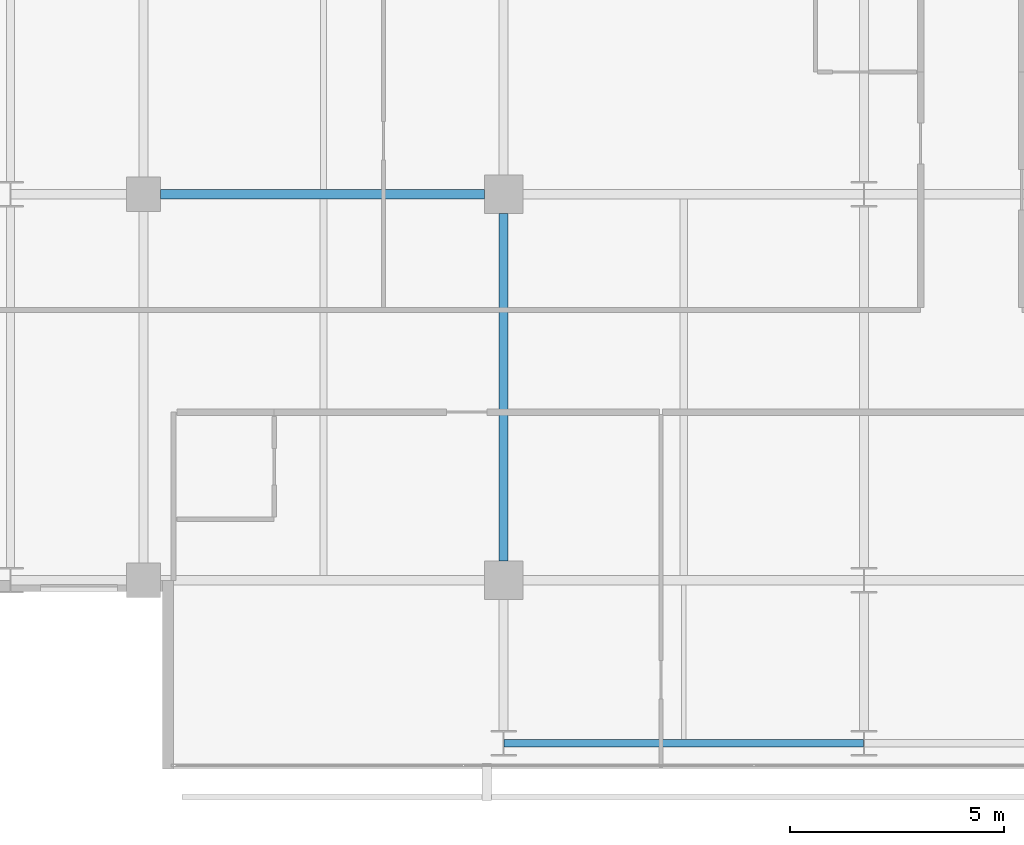
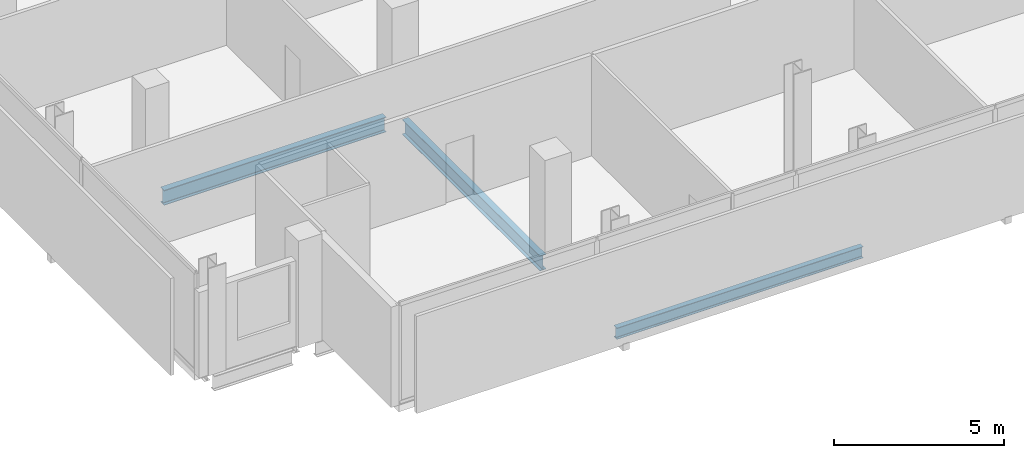
# One storey, part 5 of 32: 3 beams.
"""IFC4 building model written with IfcOpenShell, lengths in metres."""

import ifcopenshell
import ifcopenshell.guid

model = None  # the IFC model being written
_history = None  # IfcOwnerHistory: only IFC2X3 demands one
_inside = {}  # id of a spatial element -> (the spatial element, [elements in it])
_under = {}  # id of a project, library or spatial element -> (it, [spatial elements below it])
_declared = {}  # id of a project -> (the project, [libraries it declares])
_typed = {}  # id of a type object -> (the type object, [elements of that type])
_made_of = {}  # id of a material, layer set ... -> (it, [elements and type objects made of it])


def new_model(schema):
    """Start an empty IFC model of exactly this schema.

    Asked for "IFC4X3", IfcOpenShell would pick the latest addendum, in which some entities
    have other attributes; the version numbers below select the first issue.
    IFC2X3 requires an IfcOwnerHistory on every rooted entity: one is made here for all.
    """
    global model, _history
    if schema == "IFC4X3":
        model = ifcopenshell.file(schema_version=(4, 3, 0, 0))
    else:
        model = ifcopenshell.file(schema=schema)
    _inside.clear()
    _under.clear()
    _declared.clear()
    _typed.clear()
    _made_of.clear()
    _history = None
    if model.schema == "IFC2X3":
        org = make("IfcOrganization", Name="unknown")
        user = make(
            "IfcPersonAndOrganization",
            ThePerson=make("IfcPerson", FamilyName="unknown"),
            TheOrganization=org,
        )
        app = make(
            "IfcApplication",
            ApplicationDeveloper=org,
            Version="unknown",
            ApplicationFullName="unknown",
            ApplicationIdentifier="unknown",
        )
        _history = make(
            "IfcOwnerHistory",
            OwningUser=user,
            OwningApplication=app,
            ChangeAction="ADDED",
            CreationDate=0,
        )
    return model


def make(cls, **values):
    """One entity of the class cls with the attributes given. An attribute that is None is left unset."""
    return model.create_entity(
        cls, **{name: value for name, value in values.items() if value is not None}
    )


def rooted(cls, **values):
    """An entity with a GlobalId (a new one), such as an element, a storey or a relation."""
    return make(cls, GlobalId=ifcopenshell.guid.new(), OwnerHistory=_history, **values)


def si_unit(unit_type, name, prefix=None):
    """IfcSIUnit, for example si_unit("LENGTHUNIT", "METRE", prefix="MILLI")."""
    return make("IfcSIUnit", UnitType=unit_type, Prefix=prefix, Name=name)


def assignment(units):
    """IfcUnitAssignment: the units of a project."""
    return None if units is None else make("IfcUnitAssignment", Units=units)


def point(xyz):
    """IfcCartesianPoint."""
    return None if xyz is None else make("IfcCartesianPoint", Coordinates=xyz)


def direction(xyz):
    """IfcDirection."""
    return None if xyz is None else make("IfcDirection", DirectionRatios=xyz)


def frame(location, z_axis=None, x_axis=None):
    """IfcAxis2Placement3D, a coordinate frame: its origin and axes. An axis left out is left unset."""
    return make(
        "IfcAxis2Placement3D",
        Location=point(location),
        Axis=direction(z_axis),
        RefDirection=direction(x_axis),
    )


def frame_2d(location, x_axis=None):
    """IfcAxis2Placement2D, a coordinate frame in the plane: its origin and x axis."""
    return make(
        "IfcAxis2Placement2D", Location=point(location), RefDirection=direction(x_axis)
    )


def origin():
    """The frame at (0, 0, 0) with its axes left unset."""
    return frame((0.0, 0.0, 0.0))


def origin_2d():
    """The frame at (0, 0) in the plane with its x axis left unset."""
    return frame_2d((0.0, 0.0))


def place(relative_to, where):
    """IfcLocalPlacement: puts the frame where relative to a parent placement (None: the world)."""
    return make(
        "IfcLocalPlacement", PlacementRelTo=relative_to, RelativePlacement=where
    )


def context(
    kind, dimensions, precision=None, world=None, true_north=None, identifier=None
):
    """IfcGeometricRepresentationContext, for example the 3D "Model" context."""
    return make(
        "IfcGeometricRepresentationContext",
        ContextIdentifier=identifier,
        ContextType=kind,
        CoordinateSpaceDimension=dimensions,
        Precision=precision,
        WorldCoordinateSystem=world,
        TrueNorth=true_north,
    )


def subcontext(parent, identifier, kind, view, scale=None):
    """IfcGeometricRepresentationSubContext, for example "Body" below "Model"."""
    return make(
        "IfcGeometricRepresentationSubContext",
        ContextIdentifier=identifier,
        ContextType=kind,
        ParentContext=parent,
        TargetScale=scale,
        TargetView=view,
    )


def project(units=None, contexts=None):
    """IfcProject with its units and contexts."""
    return rooted(
        "IfcProject",
        Name="project",
        RepresentationContexts=contexts,
        UnitsInContext=assignment(units),
    )


def spatial(cls, under=None, at=None, **own):
    """A site, building, storey or space (cls), placed at a placement, below another one or the project."""
    s = rooted(cls, ObjectPlacement=at, **own)
    if under is not None:
        _under.setdefault(under.id(), (under, []))[1].append(s)
    return s


def profile(cls, at=None, kind="AREA", **sizes):
    """A parametric profile (cls). Its sizes go by their IFC names, for example OverallWidth=200.0."""
    return make(cls, ProfileType=kind, Position=at, **sizes)


def i_section(**sizes):
    """IfcIShapeProfileDef."""
    return profile("IfcIShapeProfileDef", **sizes)


def extrude(swept, where, along, depth):
    """IfcExtrudedAreaSolid: the profile swept, set in the frame where, extruded along a direction by depth."""
    return make(
        "IfcExtrudedAreaSolid",
        SweptArea=swept,
        Position=where,
        ExtrudedDirection=direction(along),
        Depth=depth,
    )


def shape(context_of_items, identifier, shape_type, items):
    """IfcShapeRepresentation: the items that make up one representation, for example the "Body"."""
    return make(
        "IfcShapeRepresentation",
        ContextOfItems=context_of_items,
        RepresentationIdentifier=identifier,
        RepresentationType=shape_type,
        Items=items,
    )


def material(Name=None, Category=None):
    """IfcMaterial."""
    return make("IfcMaterial", Name=Name, Category=Category)


def material_profile(
    of_material, cross_section, Name=None, Category=None, Priority=None
):
    """IfcMaterialProfile: a cross section and its material."""
    return make(
        "IfcMaterialProfile",
        Name=Name,
        Material=of_material,
        Profile=cross_section,
        Priority=Priority,
        Category=Category,
    )


def profile_set(profiles, Name=None, composite=None):
    """IfcMaterialProfileSet."""
    return make(
        "IfcMaterialProfileSet",
        Name=Name,
        MaterialProfiles=profiles,
        CompositeProfile=composite,
    )


def made_of(thing, what):
    """Note that an element or type object is made of a material, layer set ...; save() writes the relation."""
    if what is not None:
        _made_of.setdefault(what.id(), (what, []))[1].append(thing)
    return thing


def type_object(cls, material=None, **own):
    """A type object (cls), such as IfcWallType, which elements share."""
    return made_of(rooted(cls, **own), material)


def element(
    cls,
    number,
    at=None,
    inside=None,
    cuts=None,
    type_object=None,
    material=None,
    context=None,
    identifier="Body",
    shape_type=None,
    held_by="IfcProductDefinitionShape",
    body=None,
    shapes=None,
    **own,
):
    """One element of the class cls, such as IfcWall. Its Tag is "e" and its number.

    at: its placement. inside: the storey or other place that contains it. cuts: it is an
    opening in that element (IfcRelVoidsElement). A single representation is given by context,
    identifier, shape_type and body (its items); several are given by shapes. held_by: the class
    of the entity that holds the representations. save() writes the other relations.
    """
    e = rooted(cls, Tag="e%d" % number, ObjectPlacement=at, **own)
    if body is not None:
        shapes = [shape(context, identifier, shape_type, body)]
    if shapes is not None:
        e.Representation = make(held_by, Representations=shapes)
    if inside is not None:
        _inside.setdefault(inside.id(), (inside, []))[1].append(e)
    if cuts is not None:
        rooted(
            "IfcRelVoidsElement", RelatingBuildingElement=cuts, RelatedOpeningElement=e
        )
    if type_object is not None:
        _typed.setdefault(type_object.id(), (type_object, []))[1].append(e)
    return made_of(e, material)


def aggregate(whole, parts):
    """IfcRelAggregates: a whole, such as a stair, and the parts it consists of."""
    return rooted("IfcRelAggregates", RelatingObject=whole, RelatedObjects=parts)


def save(model, path):
    """Write the relations noted so far, then the file.

    IfcRelAggregates (storeys below a building ...), IfcRelContainedInSpatialStructure (elements
    in a storey), IfcRelDefinesByType, IfcRelAssociatesMaterial and IfcRelDeclares: one each for
    every whole, place, type object, material and project.
    """
    for whole, parts in _under.values():
        aggregate(whole, parts)
    for where, things in _inside.values():
        rooted(
            "IfcRelContainedInSpatialStructure",
            RelatedElements=things,
            RelatingStructure=where,
        )
    for kind, things in _typed.values():
        rooted("IfcRelDefinesByType", RelatedObjects=things, RelatingType=kind)
    for what, things in _made_of.values():
        rooted("IfcRelAssociatesMaterial", RelatedObjects=things, RelatingMaterial=what)
    for by, libraries in _declared.values():
        rooted("IfcRelDeclares", RelatingContext=by, RelatedDefinitions=libraries)
    model.write(path)


model = new_model("IFC4")

# Units and contexts
model_context = context("Model", 3, precision=1e-05, world=origin(), true_north=direction((0.0, 1.0)))
body_context = subcontext(model_context, "Body", "Model", "MODEL_VIEW")
ifc_project = project(units=[si_unit("LENGTHUNIT", "METRE"), si_unit("AREAUNIT", "SQUARE_METRE"), si_unit("VOLUMEUNIT", "CUBIC_METRE"), si_unit("PLANEANGLEUNIT", "RADIAN"), si_unit("MASSUNIT", "GRAM", prefix="KILO")], contexts=[model_context])

# Site, building, storey
site_placement = place(None, origin())
site = spatial("IfcSite", under=ifc_project, at=site_placement, CompositionType="ELEMENT")
building_placement = place(site_placement, origin())
building = spatial("IfcBuilding", under=site, at=building_placement, Name="Maruvema Waterfront Hotel and Observation Tower", CompositionType="ELEMENT")
storey_placement = place(building_placement, frame((0.0, 0.0, 219.800048828125)))
storey = spatial("IfcBuildingStorey", under=building, at=storey_placement, Name="L54", CompositionType="ELEMENT", Elevation=219.800048828125)

# Beams
ifc_material_1 = material(Name="Steel ASTM A572 Grade 50", Category="steel")
ifc_material_profile_1 = material_profile(ifc_material_1, i_section(OverallWidth=0.178955078125, OverallDepth=0.409912109375, WebThickness=0.0087890625, FlangeThickness=0.014404296875, FilletRadius=0.014892578125, at=origin_2d()), Name="W410x67.0")
ifc_profile_set_1 = profile_set([ifc_material_profile_1], Name="Steel ASTM A572 Grade 50")
beam_type_1 = type_object("IfcBeamType", Name="Perimeter Spandrel Beam W410x67.0", PredefinedType="SPANDREL", material=ifc_profile_set_1)
beam_1_placement = place(storey_placement, frame((25.21240234375, 5.199951171875, -0.445068359375), z_axis=(1.0, 0.0, 0.0), x_axis=(0.0, 1.0, 0.0)))
element("IfcBeam", 1, at=beam_1_placement, inside=storey, type_object=beam_type_1, Name="L54 Floor Girder EW-01", PredefinedType="SPANDREL", context=body_context, shape_type="SweptSolid", body=[
    extrude(i_section(OverallWidth=0.178955078125, OverallDepth=0.409912109375, WebThickness=0.0087890625, FlangeThickness=0.014404296875, FilletRadius=0.014892578125, at=origin_2d()), origin(), (0.0, 0.0, 1.0), 8.375),
])
ifc_material_2 = material(Name="Steel ASTM A572 Grade 50", Category="steel")
ifc_material_profile_2 = material_profile(ifc_material_2, i_section(OverallWidth=0.2109375, OverallDepth=0.5390625, WebThickness=0.01171875, FlangeThickness=0.018798828125, FilletRadius=0.014892578125, at=origin_2d()), Name="W530x109.0")
ifc_profile_set_2 = profile_set([ifc_material_profile_2], Name="Steel ASTM A572 Grade 50")
beam_type_2 = type_object("IfcBeamType", Name="Primary Floor Girder W530x109.0", PredefinedType="BEAM", material=ifc_profile_set_2)
beam_2_placement = place(storey_placement, frame((17.199951171875, 18.0, -0.509521484375), z_axis=(1.0, 0.0, 0.0), x_axis=(0.0, 1.0, 0.0)))
element("IfcBeam", 2, at=beam_2_placement, inside=storey, type_object=beam_type_2, Name="L54 Floor Girder EW-12", PredefinedType="BEAM", context=body_context, shape_type="SweptSolid", body=[
    extrude(i_section(OverallWidth=0.2109375, OverallDepth=0.5390625, WebThickness=0.01171875, FlangeThickness=0.018798828125, FilletRadius=0.014892578125, at=origin_2d()), origin(), (0.0, 0.0, 1.0), 7.550048828125),
])
beam_3_placement = place(storey_placement, frame((25.199951171875, 9.449951171875, -0.509521484375), z_axis=(0.0, 1.0, 0.0), x_axis=(-1.0, 0.0, 0.0)))
element("IfcBeam", 3, at=beam_3_placement, inside=storey, type_object=beam_type_2, Name="L54 Floor Girder NS-10", PredefinedType="BEAM", context=body_context, shape_type="SweptSolid", body=[
    extrude(i_section(OverallWidth=0.2109375, OverallDepth=0.5390625, WebThickness=0.01171875, FlangeThickness=0.018798828125, FilletRadius=0.014892578125, at=origin_2d()), origin(), (0.0, 0.0, 1.0), 8.10009765625),
])

save(model, "model.ifc")
